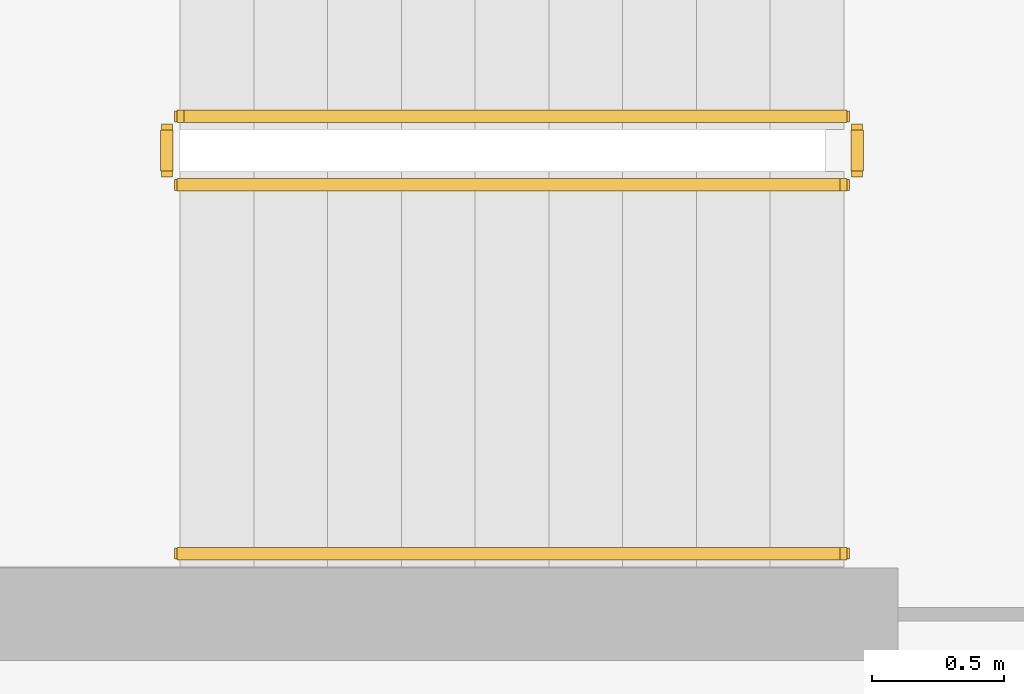
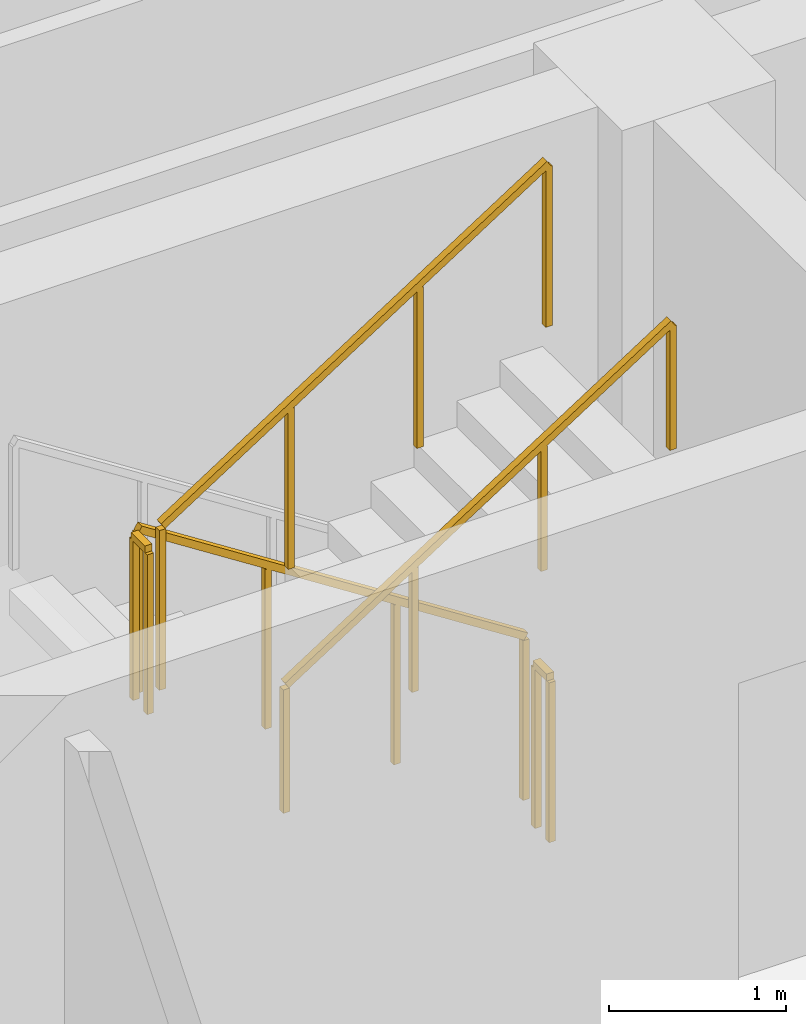
# One storey, part 12 of 14: 5 railings.
"""IFC4 building model written with IfcOpenShell, lengths in metres."""

from ifc_helpers import new_model, si_unit, direction, frame, origin, origin_2d, place, context, subcontext, project, spatial, rectangle, extrude, material, type_object, element, save


model = new_model("IFC4")

# Units and contexts
model_context = context("Model", 3, precision=1e-05, world=origin(), true_north=direction((0.0, 1.0)))
body_context = subcontext(model_context, "Body", "Model", "MODEL_VIEW")
ifc_project = project(units=[si_unit("LENGTHUNIT", "METRE"), si_unit("AREAUNIT", "SQUARE_METRE"), si_unit("VOLUMEUNIT", "CUBIC_METRE"), si_unit("PLANEANGLEUNIT", "RADIAN"), si_unit("MASSUNIT", "GRAM", prefix="KILO")], contexts=[model_context])

# Site, building, storey
site_placement = place(None, origin())
site = spatial("IfcSite", under=ifc_project, at=site_placement, CompositionType="ELEMENT")
building_placement = place(site_placement, origin())
building = spatial("IfcBuilding", under=site, at=building_placement, Name="Zarnavel Station Tower", CompositionType="ELEMENT")
storey_placement = place(building_placement, frame((0.0, 0.0, 211.199951171875)))
storey = spatial("IfcBuildingStorey", under=building, at=storey_placement, Name="L57", CompositionType="ELEMENT", Elevation=211.199951171875)

# Railings
ifc_material_1 = material(Name="Painted Steel S355J2 Balustrade", Category="steel")
railing_type_1 = type_object("IfcRailingType", Name="GR_INT_1150", PredefinedType="GUARDRAIL", material=ifc_material_1)
railing_1_placement = place(storey_placement, frame((19.47998046875, 35.3701171875, 0.179931640625)))
element("IfcRailing", 1, at=railing_1_placement, inside=storey, type_object=railing_type_1, Name="L57 ST1 stair guard 1", PredefinedType="GUARDRAIL", context=body_context, shape_type="SweptSolid", body=[
    extrude(rectangle(XDim=0.048095703125, YDim=0.048095703125, at=origin_2d()), frame((-0.001708984375, 0.0, 1.126953125), z_axis=(-0.841162588446, 0.0, 0.540782303519), x_axis=(0.0, -1.0, 0.0)), (0.0, 0.0, 1.0), 2.991943359375),
    extrude(rectangle(XDim=0.0419921875, YDim=0.0419921875, at=origin_2d()), origin(), (0.0, 0.0, 1.0), 1.101806640625),
    extrude(rectangle(XDim=0.0419921875, YDim=0.0419921875, at=origin_2d()), frame((-0.840087890625, 0.0, 0.5400390625)), (0.0, 0.0, 1.0), 1.101806640625),
    extrude(rectangle(XDim=0.0419921875, YDim=0.0419921875, at=origin_2d()), frame((-1.679931640625, 0.0, 1.080078125)), (0.0, 0.0, 1.0), 1.101806640625),
    extrude(rectangle(XDim=0.0419921875, YDim=0.0419921875, at=origin_2d()), frame((-2.52001953125, 0.0, 1.6201171875)), (0.0, 0.0, 1.0), 1.101806640625),
])
railing_2_placement = place(storey_placement, frame((16.909912109375, 35.320068359375, 1.800048828125)))
element("IfcRailing", 2, at=railing_2_placement, inside=storey, type_object=railing_type_1, Name="L57 ST1 stair guard 2", PredefinedType="GUARDRAIL", context=body_context, shape_type="SweptSolid", body=[
    extrude(rectangle(XDim=0.048095703125, YDim=0.048095703125, at=origin_2d()), frame((0.0, -0.001953125, 1.1259765625), z_axis=(0.0, -1.0, 0.0), x_axis=(1.0, 0.0, 0.0)), (0.0, 0.0, 1.0), 0.15625),
    extrude(rectangle(XDim=0.0419921875, YDim=0.0419921875, at=origin_2d()), origin(), (0.0, 0.0, 1.0), 1.101806640625),
    extrude(rectangle(XDim=0.0419921875, YDim=0.0419921875, at=origin_2d()), frame((0.0, -0.16015625, 0.0)), (0.0, 0.0, 1.0), 1.101806640625),
])
railing_3_placement = place(storey_placement, frame((16.9599609375, 35.110107421875, 1.97998046875)))
element("IfcRailing", 3, at=railing_3_placement, inside=storey, type_object=railing_type_1, Name="L57 ST1 stair guard 3", PredefinedType="GUARDRAIL", context=body_context, shape_type="SweptSolid", body=[
    extrude(rectangle(XDim=0.048095703125, YDim=0.048095703125, at=origin_2d()), frame((0.001708984375, 0.0, 1.126953125), z_axis=(0.841162588446, 0.0, 0.540782303519), x_axis=(0.0, 1.0, 0.0)), (0.0, 0.0, 1.0), 2.991943359375),
    extrude(rectangle(XDim=0.0419921875, YDim=0.0419921875, at=origin_2d()), origin(), (0.0, 0.0, 1.0), 1.101806640625),
    extrude(rectangle(XDim=0.0419921875, YDim=0.0419921875, at=origin_2d()), frame((0.840087890625, 0.0, 0.5400390625)), (0.0, 0.0, 1.0), 1.101806640625),
    extrude(rectangle(XDim=0.0419921875, YDim=0.0419921875, at=origin_2d()), frame((1.679931640625, 0.0, 1.080078125)), (0.0, 0.0, 1.0), 1.101806640625),
    extrude(rectangle(XDim=0.0419921875, YDim=0.0419921875, at=origin_2d()), frame((2.52001953125, 0.0, 1.6201171875)), (0.0, 0.0, 1.0), 1.101806640625),
])
railing_4_placement = place(storey_placement, frame((19.530029296875, 35.320068359375, 0.0)))
element("IfcRailing", 4, at=railing_4_placement, inside=storey, type_object=railing_type_1, Name="L57 ST1 stair guard 4", PredefinedType="GUARDRAIL", context=body_context, shape_type="SweptSolid", body=[
    extrude(rectangle(XDim=0.048095703125, YDim=0.048095703125, at=origin_2d()), frame((0.0, -0.001953125, 1.1259765625), z_axis=(0.0, -1.0, 0.0), x_axis=(1.0, 0.0, 0.0)), (0.0, 0.0, 1.0), 0.15625),
    extrude(rectangle(XDim=0.0419921875, YDim=0.0419921875, at=origin_2d()), origin(), (0.0, 0.0, 1.0), 1.101806640625),
    extrude(rectangle(XDim=0.0419921875, YDim=0.0419921875, at=origin_2d()), frame((0.0, -0.16015625, 0.0)), (0.0, 0.0, 1.0), 1.101806640625),
])
ifc_material_2 = material(Name="Brushed Stainless Steel S355J2 Handrail", Category="steel")
railing_type_2 = type_object("IfcRailingType", Name="HR_STAIR_900", PredefinedType="HANDRAIL", material=ifc_material_2)
railing_5_placement = place(storey_placement, frame((16.9599609375, 33.7099609375, 1.97998046875)))
element("IfcRailing", 5, at=railing_5_placement, inside=storey, type_object=railing_type_2, Name="L57 ST1 stair handrail 2", PredefinedType="HANDRAIL", context=body_context, shape_type="SweptSolid", body=[
    extrude(rectangle(XDim=0.048095703125, YDim=0.048095703125, at=origin_2d()), frame((0.001708984375, 0.0, 0.876953125), z_axis=(0.841162588446, 0.0, 0.540782303519), x_axis=(0.0, 1.0, 0.0)), (0.0, 0.0, 1.0), 2.991943359375),
    extrude(rectangle(XDim=0.0419921875, YDim=0.0419921875, at=origin_2d()), origin(), (0.0, 0.0, 1.0), 0.851806640625),
    extrude(rectangle(XDim=0.0419921875, YDim=0.0419921875, at=origin_2d()), frame((0.840087890625, 0.0, 0.5400390625)), (0.0, 0.0, 1.0), 0.851806640625),
    extrude(rectangle(XDim=0.0419921875, YDim=0.0419921875, at=origin_2d()), frame((1.679931640625, 0.0, 1.080078125)), (0.0, 0.0, 1.0), 0.851806640625),
    extrude(rectangle(XDim=0.0419921875, YDim=0.0419921875, at=origin_2d()), frame((2.52001953125, 0.0, 1.6201171875)), (0.0, 0.0, 1.0), 0.851806640625),
])

save(model, "model.ifc")
